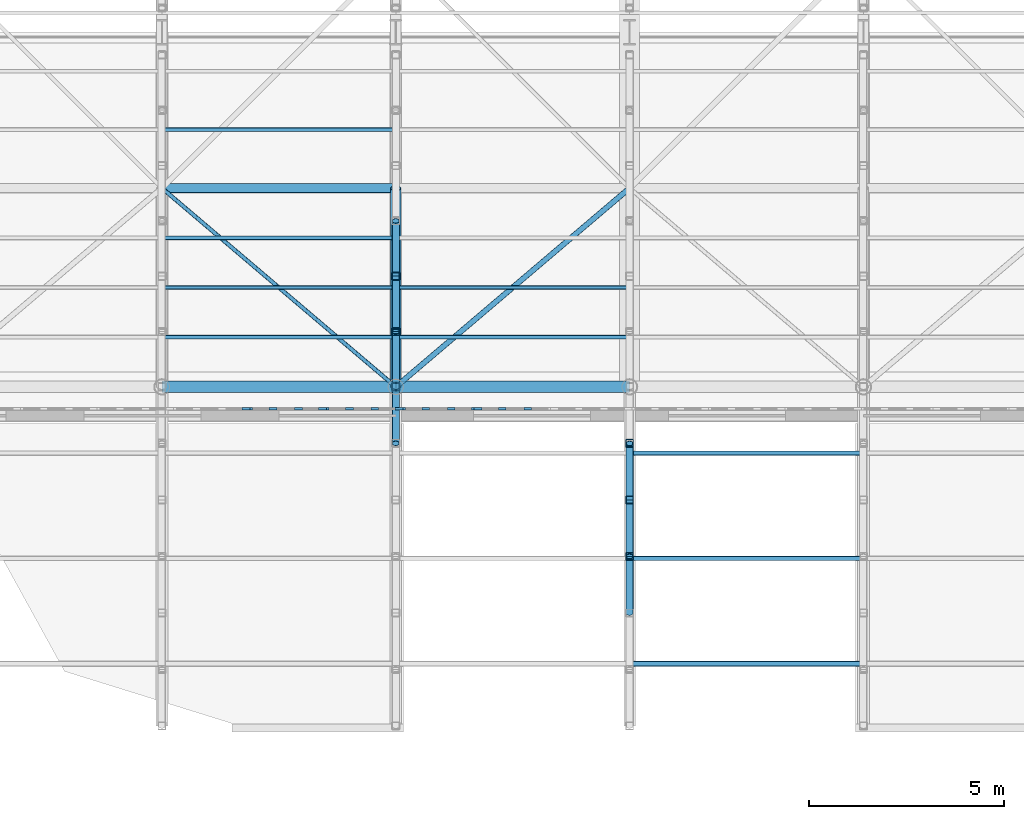
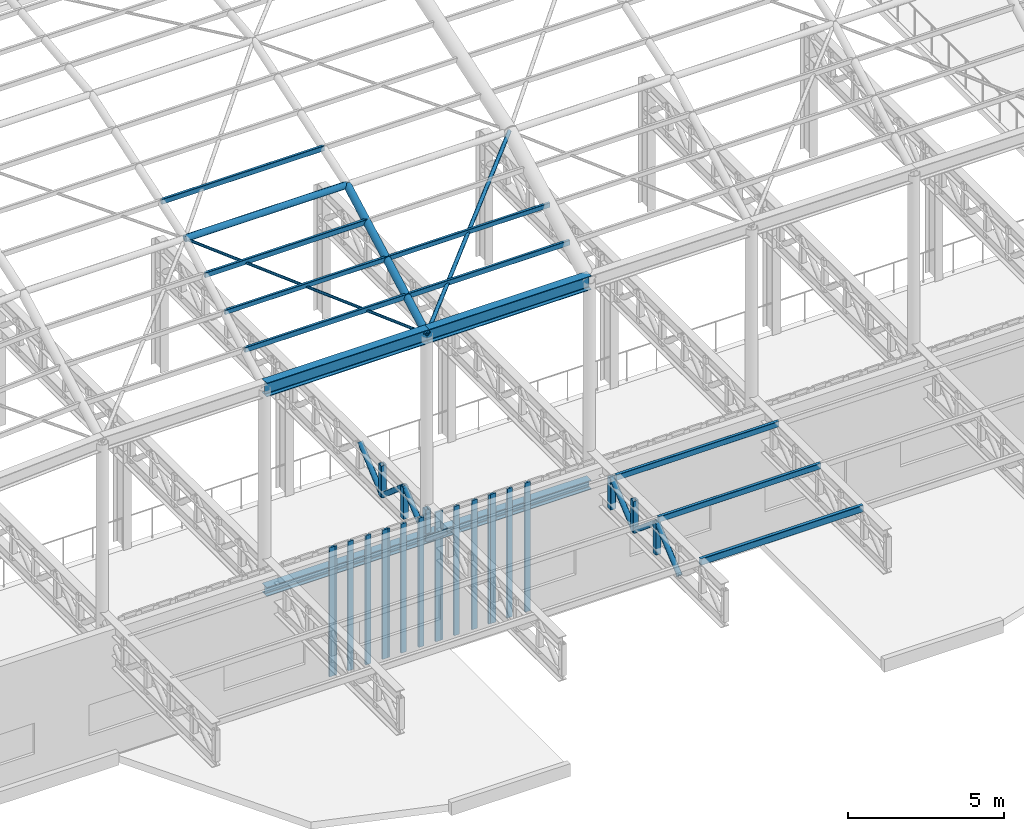
# One storey, part 24 of 75: 42 members, 4 beams, 5 elements without a shape of their own.
"""IFC4 building model written with IfcOpenShell, lengths in metres."""

from ifc_helpers import new_model, si_unit, direction, frame, origin, origin_2d, place, context, subcontext, project, spatial, rectangle, hollow_rectangle, hollow_circle, i_section, extrude, material, material_profile, profile_set, type_object, element, aggregate, save


model = new_model("IFC4")

# Units and contexts
model_context = context("Model", 3, precision=1e-05, world=origin(), true_north=direction((0.0, 1.0)))
body_context = subcontext(model_context, "Body", "Model", "MODEL_VIEW")
ifc_project = project(units=[si_unit("LENGTHUNIT", "METRE"), si_unit("AREAUNIT", "SQUARE_METRE"), si_unit("VOLUMEUNIT", "CUBIC_METRE"), si_unit("PLANEANGLEUNIT", "RADIAN"), si_unit("MASSUNIT", "GRAM", prefix="KILO")], contexts=[model_context])

# Site, building, storey
site_placement = place(None, origin())
site = spatial("IfcSite", under=ifc_project, at=site_placement, CompositionType="ELEMENT")
building_placement = place(site_placement, origin())
building = spatial("IfcBuilding", under=site, at=building_placement, Name="Kolvaren Corner Interchange", CompositionType="ELEMENT")
storey_placement = place(building_placement, frame((0.0, 0.0, 10.5)))
storey = spatial("IfcBuildingStorey", under=building, at=storey_placement, Name="L03", CompositionType="ELEMENT", Elevation=10.5)

# Beams
ifc_material_1 = material(Name="Steel S355", Category="steel")
ifc_material_profile_1 = material_profile(ifc_material_1, i_section(OverallWidth=0.300048828125, OverallDepth=0.35009765625, WebThickness=0.010009765625, FlangeThickness=0.017578125, FilletRadius=0.027099609375, at=origin_2d()), Name="HEA 360")
ifc_profile_set_1 = profile_set([ifc_material_profile_1], Name="Steel S355")
beam_type_1 = type_object("IfcBeamType", Name="BM-HEA360", PredefinedType="BEAM", material=ifc_profile_set_1)
for number, where, z_axis, x_axis, name in (
    (1, (78.0, 24.89990234375, 3.77490234375), (1.0, 0.0, 0.0), (0.0, 1.0, 0.0), "Storey L03 Grid X Primary Girder 0834"),
    (2, (84.0, 24.89990234375, 3.77490234375), (1.0, 0.0, 0.0), (0.0, 1.0, 0.0), "Storey L03 Grid X Primary Girder 0835"),
):
    element("IfcBeam", number, at=place(storey_placement, frame(where, z_axis=z_axis, x_axis=x_axis)), inside=storey, type_object=beam_type_1, Name=name, PredefinedType="BEAM", context=body_context, shape_type="SweptSolid", body=[
        extrude(i_section(OverallWidth=0.300048828125, OverallDepth=0.35009765625, WebThickness=0.010009765625, FlangeThickness=0.017578125, FilletRadius=0.027099609375, at=origin_2d()), origin(), (0.0, 0.0, 1.0), 6.0),
    ])
ifc_material_2 = material(Name="Steel S355", Category="steel")
ifc_material_profile_2 = material_profile(ifc_material_2, i_section(OverallWidth=0.300048828125, OverallDepth=0.5400390625, WebThickness=0.012451171875, FlangeThickness=0.02392578125, FilletRadius=0.027099609375, at=origin_2d()), Name="HEA 550")
ifc_profile_set_2 = profile_set([ifc_material_profile_2], Name="Steel S355")
beam_type_2 = type_object("IfcBeamType", Name="BM-HEA550", PredefinedType="BEAM", material=ifc_profile_set_2)
for number, where, z_axis, x_axis, name in (
    (3, (78.0, 24.89990234375, 11.6650390625), (1.0, 0.0, 0.0), (0.0, 1.0, 0.0), "Concourse Translational Gridshell Eaves Ring Beam 006"),
    (4, (84.0, 24.89990234375, 11.6650390625), (1.0, 0.0, 0.0), (0.0, 1.0, 0.0), "Concourse Translational Gridshell Eaves Ring Beam 007"),
):
    element("IfcBeam", number, at=place(storey_placement, frame(where, z_axis=z_axis, x_axis=x_axis)), inside=storey, type_object=beam_type_2, Name=name, PredefinedType="BEAM", context=body_context, shape_type="SweptSolid", body=[
        extrude(i_section(OverallWidth=0.300048828125, OverallDepth=0.5400390625, WebThickness=0.012451171875, FlangeThickness=0.02392578125, FilletRadius=0.027099609375, at=origin_2d()), origin(), (0.0, 0.0, 1.0), 6.0),
    ])

# Members
ifc_material_3 = material(Name="Steel S355", Category="steel")
ifc_material_profile_3 = material_profile(ifc_material_3, hollow_circle(Radius=0.05078125, WallThickness=0.00634765625, at=origin_2d()), Name="CHS 101.6x6.3")
ifc_profile_set_3 = profile_set([ifc_material_profile_3], Name="Steel S355")
member_type_1 = type_object("IfcMemberType", Name="MEM-BR-CHS102", PredefinedType="BRACE", material=ifc_profile_set_3)
member_1_placement = place(storey_placement, frame((78.0, 30.0, 14.4130859375), z_axis=(0.719387446525, -0.611491038326, -0.329485070723), x_axis=(0.647655619635, 0.761933198092, 0.0)))
element("IfcMember", 5, at=member_1_placement, inside=storey, type_object=member_type_1, Name="Concourse Translational Gridshell Nodal Diagonal Brace 0041", PredefinedType="BRACE", context=body_context, shape_type="SweptSolid", body=[
    extrude(hollow_circle(Radius=0.05078125, WallThickness=0.00634765625, at=origin_2d()), origin(), (0.0, 0.0, 1.0), 8.34033203125),
])
ifc_material_4 = material(Name="Steel S355", Category="steel")
ifc_material_profile_4 = material_profile(ifc_material_4, hollow_circle(Radius=0.06982421875, WallThickness=0.008056640625, at=origin_2d()), Name="CHS 139.7x8.0")
ifc_profile_set_4 = profile_set([ifc_material_profile_4], Name="Steel S355")
member_type_2 = type_object("IfcMemberType", Name="MEM-BR-CHS140", PredefinedType="BRACE", material=ifc_profile_set_4)
member_2_placement = place(storey_placement, frame((84.0, 24.89990234375, 11.6650390625), z_axis=(0.719387446525, 0.611491038326, 0.329485070723), x_axis=(-0.647655619635, 0.761933198092, 0.0)))
element("IfcMember", 6, at=member_2_placement, inside=storey, type_object=member_type_2, Name="Concourse Translational Gridshell Nodal Diagonal Brace 0049", PredefinedType="BRACE", context=body_context, shape_type="SweptSolid", body=[
    extrude(hollow_circle(Radius=0.06982421875, WallThickness=0.008056640625, at=origin_2d()), origin(), (0.0, 0.0, 1.0), 8.34033203125),
])
ifc_material_5 = material(Name="Steel S355", Category="steel")
ifc_material_profile_5 = material_profile(ifc_material_5, hollow_circle(Radius=0.096923828125, WallThickness=0.010009765625, at=origin_2d()), Name="CHS 193.7x10.0")
ifc_profile_set_5 = profile_set([ifc_material_profile_5], Name="Steel S355")
member_type_3 = type_object("IfcMemberType", Name="MEM-BR-CHS194", PredefinedType="BRACE", material=ifc_profile_set_5)
member_3_placement = place(storey_placement, frame((84.0, 23.449951171875, 4.8701171875), z_axis=(0.0, 0.765118287979, -0.643889746307), x_axis=(-1.0, 0.0, 0.0)))
element("IfcMember", 7, at=member_3_placement, inside=storey, type_object=member_type_3, Name="South Portal Cantilever Roof Truss TOP Line 3 Diagonal 06", PredefinedType="BRACE", context=body_context, shape_type="SweptSolid", body=[
    extrude(hollow_circle(Radius=0.096923828125, WallThickness=0.010009765625, at=origin_2d()), origin(), (0.0, 0.0, 1.0), 1.89501953125),
])
member_4_placement = place(storey_placement, frame((84.0, 24.89990234375, 3.64990234375), z_axis=(0.0, 0.758482926199, 0.651692911319), x_axis=(-1.0, 0.0, 0.0)))
element("IfcMember", 8, at=member_4_placement, inside=storey, type_object=member_type_3, Name="South Portal Cantilever Roof Truss TOP Line 3 Diagonal 07", PredefinedType="BRACE", context=body_context, shape_type="SweptSolid", body=[
    extrude(hollow_circle(Radius=0.096923828125, WallThickness=0.010009765625, at=origin_2d()), origin(), (0.0, 0.0, 1.0), 1.872314453125),
])
for number, where, z_axis, x_axis, name in (
    (9, (84.0, 26.320068359375, 4.8701171875), (0.0, 0.758427540561, -0.651757367215), (-1.0, 0.0, 0.0), "South Portal Cantilever Roof Truss TOP Line 3 Diagonal 08"),
    (10, (84.0, 27.739990234375, 3.64990234375), (0.0, 0.758427540561, 0.651757367215), (-1.0, 0.0, 0.0), "South Portal Cantilever Roof Truss TOP Line 3 Diagonal 09"),
):
    element("IfcMember", number, at=place(storey_placement, frame(where, z_axis=z_axis, x_axis=x_axis)), inside=storey, type_object=member_type_3, Name=name, PredefinedType="BRACE", context=body_context, shape_type="SweptSolid", body=[
        extrude(hollow_circle(Radius=0.096923828125, WallThickness=0.010009765625, at=origin_2d()), origin(), (0.0, 0.0, 1.0), 1.8720703125),
    ])
for number, where, z_axis, x_axis, name in (
    (11, (90.0, 19.10009765625, 3.64990234375), (0.0, 0.765118287979, 0.643889746307), (-1.0, 0.0, 0.0), "South Portal Cantilever Roof Truss TOP Line 4 Diagonal 03"),
    (12, (90.0, 20.550048828125, 4.8701171875), (0.0, 0.765118287979, -0.643889746307), (-1.0, 0.0, 0.0), "South Portal Cantilever Roof Truss TOP Line 4 Diagonal 04"),
    (13, (90.0, 22.0, 3.64990234375), (0.0, 0.765118287979, 0.643889746307), (-1.0, 0.0, 0.0), "South Portal Cantilever Roof Truss TOP Line 4 Diagonal 05"),
):
    element("IfcMember", number, at=place(storey_placement, frame(where, z_axis=z_axis, x_axis=x_axis)), inside=storey, type_object=member_type_3, Name=name, PredefinedType="BRACE", context=body_context, shape_type="SweptSolid", body=[
        extrude(hollow_circle(Radius=0.096923828125, WallThickness=0.010009765625, at=origin_2d()), origin(), (0.0, 0.0, 1.0), 1.89501953125),
    ])
ifc_material_6 = material(Name="Steel S355", Category="steel")
ifc_material_profile_6 = material_profile(ifc_material_6, hollow_circle(Radius=0.122314453125, WallThickness=0.012451171875, at=origin_2d()), Name="CHS 244.5x12.5")
ifc_profile_set_6 = profile_set([ifc_material_profile_6], Name="Steel S355")
member_type_4 = type_object("IfcMemberType", Name="MEM-CH-CHS245", PredefinedType="CHORD", material=ifc_profile_set_6)
member_5_placement = place(storey_placement, frame((78.0, 30.0, 14.4130859375), z_axis=(1.0, 0.0, 0.0), x_axis=(0.0, 1.0, 0.0)))
element("IfcMember", 14, at=member_5_placement, inside=storey, type_object=member_type_4, Name="Concourse Translational Gridshell Longitudinal Arch Chord 0110", PredefinedType="CHORD", context=body_context, shape_type="SweptSolid", body=[
    extrude(hollow_circle(Radius=0.122314453125, WallThickness=0.012451171875, at=origin_2d()), origin(), (0.0, 0.0, 1.0), 6.0),
])
ifc_material_7 = material(Name="Steel S355", Category="steel")
ifc_material_profile_7 = material_profile(ifc_material_7, hollow_circle(Radius=0.136474609375, WallThickness=0.012451171875, at=origin_2d()), Name="CHS 273.0x12.5")
ifc_profile_set_7 = profile_set([ifc_material_profile_7], Name="Steel S355")
member_type_5 = type_object("IfcMemberType", Name="MEM-CH-CHS273", PredefinedType="CHORD", material=ifc_profile_set_7)
member_6_placement = place(storey_placement, frame((84.0, 24.89990234375, 11.6650390625), z_axis=(0.0, 0.880338454691, 0.474346081666), x_axis=(-1.0, 0.0, 0.0)))
element("IfcMember", 15, at=member_6_placement, inside=storey, type_object=member_type_5, Name="Concourse Translational Gridshell Transverse Arch Chord 0041", PredefinedType="CHORD", context=body_context, shape_type="SweptSolid", body=[
    extrude(hollow_circle(Radius=0.136474609375, WallThickness=0.012451171875, at=origin_2d()), origin(), (0.0, 0.0, 1.0), 5.79345703125),
])
ifc_material_8 = material(Name="Steel S355", Category="steel")
ifc_material_profile_8 = material_profile(ifc_material_8, hollow_rectangle(XDim=0.10009765625, YDim=0.179931640625, WallThickness=0.008056640625, InnerFilletRadius=0.008056640625, OuterFilletRadius=0.01611328125, at=origin_2d()), Name="RHS 180x100x8.0")
ifc_profile_set_8 = profile_set([ifc_material_profile_8], Name="Steel S355")
member_type_6 = type_object("IfcMemberType", Name="MEM-PR-RHS180", PredefinedType="PURLIN", material=ifc_profile_set_8)
for number, where, z_axis, x_axis, name in (
    (16, (78.0, 27.449951171875, 13.0869140625), (1.0, 0.0, 0.0), (0.0, 1.0, 0.0), "Concourse Translational Gridshell Glazing Purlin 0041 Row 2"),
    (17, (84.0, 27.449951171875, 13.0869140625), (1.0, 0.0, 0.0), (0.0, 1.0, 0.0), "Concourse Translational Gridshell Glazing Purlin 0049 Row 2"),
):
    element("IfcMember", number, at=place(storey_placement, frame(where, z_axis=z_axis, x_axis=x_axis)), inside=storey, type_object=member_type_6, Name=name, PredefinedType="PURLIN", context=body_context, shape_type="SweptSolid", body=[
        extrude(hollow_rectangle(XDim=0.10009765625, YDim=0.179931640625, WallThickness=0.008056640625, InnerFilletRadius=0.008056640625, OuterFilletRadius=0.01611328125, at=origin_2d()), origin(), (0.0, 0.0, 1.0), 6.0),
    ])
ifc_material_9 = material(Name="Steel S355", Category="steel")
ifc_material_profile_9 = material_profile(ifc_material_9, hollow_rectangle(XDim=0.10009765625, YDim=0.199951171875, WallThickness=0.008056640625, InnerFilletRadius=0.008056640625, OuterFilletRadius=0.01611328125, at=origin_2d()), Name="RHS 200x100x8.0")
ifc_profile_set_9 = profile_set([ifc_material_profile_9], Name="Steel S355")
member_type_7 = type_object("IfcMemberType", Name="MEM-PR-RHS200", PredefinedType="PURLIN", material=ifc_profile_set_9)
for number, where, z_axis, x_axis, name in (
    (18, (78.0, 26.175048828125, 12.389892578125), (1.0, 0.0, 0.0), (0.0, 1.0, 0.0), "Concourse Translational Gridshell Glazing Purlin 0041 Row 1"),
    (19, (78.0, 28.72509765625, 13.763916015625), (1.0, 0.0, 0.0), (0.0, 1.0, 0.0), "Concourse Translational Gridshell Glazing Purlin 0041 Row 3"),
    (20, (78.0, 31.5, 14.950927734375), (1.0, 0.0, 0.0), (0.0, 1.0, 0.0), "Concourse Translational Gridshell Glazing Purlin 0042 Row 1"),
    (21, (84.0, 26.175048828125, 12.389892578125), (1.0, 0.0, 0.0), (0.0, 1.0, 0.0), "Concourse Translational Gridshell Glazing Purlin 0049 Row 1"),
):
    element("IfcMember", number, at=place(storey_placement, frame(where, z_axis=z_axis, x_axis=x_axis)), inside=storey, type_object=member_type_7, Name=name, PredefinedType="PURLIN", context=body_context, shape_type="SweptSolid", body=[
        extrude(hollow_rectangle(XDim=0.10009765625, YDim=0.199951171875, WallThickness=0.008056640625, InnerFilletRadius=0.008056640625, OuterFilletRadius=0.01611328125, at=origin_2d()), origin(), (0.0, 0.0, 1.0), 6.0),
    ])
ifc_material_10 = material(Name="Steel S355", Category="steel")
ifc_material_profile_10 = material_profile(ifc_material_10, hollow_rectangle(XDim=0.1201171875, YDim=0.219970703125, WallThickness=0.008056640625, InnerFilletRadius=0.008056640625, OuterFilletRadius=0.01611328125, at=origin_2d()), Name="RHS 220x120x8.0")
ifc_profile_set_10 = profile_set([ifc_material_profile_10], Name="Steel S355")
member_type_8 = type_object("IfcMemberType", Name="MEM-PR-RHS220", PredefinedType="PURLIN", material=ifc_profile_set_10)
for number, where, z_axis, x_axis, name in (
    (22, (90.0, 20.5, 5.010009765625), (1.0, 0.0, 0.0), (0.0, 1.0, 0.0), "South Portal Cantilever Roof Truss TOP Purlin 2 Bay 90"),
    (23, (90.0, 23.199951171875, 5.010009765625), (1.0, 0.0, 0.0), (0.0, 1.0, 0.0), "South Portal Cantilever Roof Truss TOP Purlin 3 Bay 90"),
):
    element("IfcMember", number, at=place(storey_placement, frame(where, z_axis=z_axis, x_axis=x_axis)), inside=storey, type_object=member_type_8, Name=name, PredefinedType="PURLIN", context=body_context, shape_type="SweptSolid", body=[
        extrude(hollow_rectangle(XDim=0.1201171875, YDim=0.219970703125, WallThickness=0.008056640625, InnerFilletRadius=0.008056640625, OuterFilletRadius=0.01611328125, at=origin_2d()), origin(), (0.0, 0.0, 1.0), 6.0),
    ])
ifc_material_11 = material(Name="Steel S355", Category="steel")
ifc_material_profile_11 = material_profile(ifc_material_11, hollow_rectangle(XDim=0.139892578125, YDim=0.260009765625, WallThickness=0.010009765625, InnerFilletRadius=0.010009765625, OuterFilletRadius=0.02001953125, at=origin_2d()), Name="RHS 260x140x10.0")
ifc_profile_set_11 = profile_set([ifc_material_profile_11], Name="Steel S355")
member_type_9 = type_object("IfcMemberType", Name="MEM-PR-RHS260", PredefinedType="PURLIN", material=ifc_profile_set_11)
member_7_placement = place(storey_placement, frame((90.0, 17.800048828125, 4.989990234375), z_axis=(1.0, 0.0, 0.0), x_axis=(0.0, 1.0, 0.0)))
element("IfcMember", 24, at=member_7_placement, inside=storey, type_object=member_type_9, Name="South Portal Cantilever Roof Truss TOP Purlin 1 Bay 90", PredefinedType="PURLIN", context=body_context, shape_type="SweptSolid", body=[
    extrude(hollow_rectangle(XDim=0.139892578125, YDim=0.260009765625, WallThickness=0.010009765625, InnerFilletRadius=0.010009765625, OuterFilletRadius=0.02001953125, at=origin_2d()), origin(), (0.0, 0.0, 1.0), 6.0),
])
ifc_material_12 = material(Name="Steel S355", Category="steel")
ifc_material_profile_12 = material_profile(ifc_material_12, hollow_rectangle(XDim=0.199951171875, YDim=0.199951171875, WallThickness=0.010009765625, InnerFilletRadius=0.010009765625, OuterFilletRadius=0.02001953125, at=origin_2d()), Name="SHS 200x200x10.0")
ifc_profile_set_12 = profile_set([ifc_material_profile_12], Name="Steel S355")
member_type_10 = type_object("IfcMemberType", Name="MEM-PT-SHS200", PredefinedType="POST", material=ifc_profile_set_12)
for number, where, z_axis, x_axis, name in (
    (25, (84.0, 24.89990234375, 3.64990234375), (0.0, 0.0, 1.0), (1.0, 0.0, 0.0), "South Portal Cantilever Roof Truss TOP Line 3 Web Post 07"),
    (26, (84.0, 26.320068359375, 3.64990234375), (0.0, 0.0, 1.0), (1.0, 0.0, 0.0), "South Portal Cantilever Roof Truss TOP Line 3 Web Post 08"),
    (27, (84.0, 27.739990234375, 3.64990234375), (0.0, 0.0, 1.0), (1.0, 0.0, 0.0), "South Portal Cantilever Roof Truss TOP Line 3 Web Post 09"),
    (28, (90.0, 20.550048828125, 3.64990234375), (0.0, 0.0, 1.0), (1.0, 0.0, 0.0), "South Portal Cantilever Roof Truss TOP Line 4 Web Post 04"),
    (29, (90.0, 22.0, 3.64990234375), (0.0, 0.0, 1.0), (1.0, 0.0, 0.0), "South Portal Cantilever Roof Truss TOP Line 4 Web Post 05"),
    (30, (90.0, 23.449951171875, 3.64990234375), (0.0, 0.0, 1.0), (1.0, 0.0, 0.0), "South Portal Cantilever Roof Truss TOP Line 4 Web Post 06"),
):
    element("IfcMember", number, at=place(storey_placement, frame(where, z_axis=z_axis, x_axis=x_axis)), inside=storey, type_object=member_type_10, Name=name, PredefinedType="POST", context=body_context, shape_type="SweptSolid", body=[
        extrude(hollow_rectangle(XDim=0.199951171875, YDim=0.199951171875, WallThickness=0.010009765625, InnerFilletRadius=0.010009765625, OuterFilletRadius=0.02001953125, at=origin_2d()), origin(), (0.0, 0.0, 1.0), 1.22021484375),
    ])

# Curtain wall, member
ifc_material_13 = material(Name="Unitised Aluminium and Solar-Control Glass Curtain Wall", Category="aluminium")
curtain_wall_type = type_object("IfcCurtainWallType", Name="CW-V1-UPPER", PredefinedType="NOTDEFINED", material=ifc_material_13)
curtain_wall_1_placement = place(storey_placement, origin())
curtain_wall_1 = element("IfcCurtainWall", 31, at=curtain_wall_1_placement, inside=storey, type_object=curtain_wall_type, Name="South Portal Upper Curtain Wall Bay 04", PredefinedType="NOTDEFINED")
ifc_material_14 = material(Name="Anodised Aluminium Framing", Category="aluminium")
ifc_material_profile_13 = material_profile(ifc_material_14, rectangle(XDim=0.070068359375, YDim=0.199951171875, at=origin_2d()), Name="ALU 70x200")
ifc_profile_set_13 = profile_set([ifc_material_profile_13], Name="Anodised Aluminium Framing")
member_type_11 = type_object("IfcMemberType", Name="MUL-ALU70x200", PredefinedType="MULLION", material=ifc_profile_set_13)
member_8_placement = place(storey_placement, frame((80.159423828125, 24.340087890625, 0.0), z_axis=(0.0, 0.0, 1.0), x_axis=(0.0, 1.0, 0.0)))
member_8 = element("IfcMember", 32, at=member_8_placement, type_object=member_type_11, Name="CW-040 mullion 4", PredefinedType="MULLION", context=body_context, shape_type="SweptSolid", body=[
    extrude(rectangle(XDim=0.070068359375, YDim=0.199951171875, at=origin_2d()), origin(), (0.0, 0.0, 1.0), 5.050048828125),
])
aggregate(curtain_wall_1, [member_8])

# Curtain wall, members
curtain_wall_2_placement = place(storey_placement, origin())
curtain_wall_2 = element("IfcCurtainWall", 33, at=curtain_wall_2_placement, inside=storey, type_object=curtain_wall_type, Name="South Portal Upper Curtain Wall Bay 05", PredefinedType="NOTDEFINED")
member_9_placement = place(storey_placement, frame((80.2294921875, 24.340087890625, 0.0), z_axis=(0.0, 0.0, 1.0), x_axis=(0.0, 1.0, 0.0)))
member_9 = element("IfcMember", 34, at=member_9_placement, type_object=member_type_11, Name="CW-041 mullion 1", PredefinedType="MULLION", context=body_context, shape_type="SweptSolid", body=[
    extrude(rectangle(XDim=0.070068359375, YDim=0.199951171875, at=origin_2d()), origin(), (0.0, 0.0, 1.0), 5.050048828125),
])
member_10_placement = place(storey_placement, frame((80.84814453125, 24.340087890625, 0.0), z_axis=(0.0, 0.0, 1.0), x_axis=(0.0, 1.0, 0.0)))
member_10 = element("IfcMember", 35, at=member_10_placement, type_object=member_type_11, Name="CW-041 mullion 2", PredefinedType="MULLION", context=body_context, shape_type="SweptSolid", body=[
    extrude(rectangle(XDim=0.070068359375, YDim=0.199951171875, at=origin_2d()), origin(), (0.0, 0.0, 1.0), 5.050048828125),
])
member_11_placement = place(storey_placement, frame((81.501953125, 24.340087890625, 0.0), z_axis=(0.0, 0.0, 1.0), x_axis=(0.0, 1.0, 0.0)))
member_11 = element("IfcMember", 36, at=member_11_placement, type_object=member_type_11, Name="CW-041 mullion 3", PredefinedType="MULLION", context=body_context, shape_type="SweptSolid", body=[
    extrude(rectangle(XDim=0.070068359375, YDim=0.199951171875, at=origin_2d()), origin(), (0.0, 0.0, 1.0), 5.050048828125),
])
member_12_placement = place(storey_placement, frame((82.12060546875, 24.340087890625, 0.0), z_axis=(0.0, 0.0, 1.0), x_axis=(0.0, 1.0, 0.0)))
member_12 = element("IfcMember", 37, at=member_12_placement, type_object=member_type_11, Name="CW-041 mullion 4", PredefinedType="MULLION", context=body_context, shape_type="SweptSolid", body=[
    extrude(rectangle(XDim=0.070068359375, YDim=0.199951171875, at=origin_2d()), origin(), (0.0, 0.0, 1.0), 5.050048828125),
])
aggregate(curtain_wall_2, [member_9, member_10, member_11, member_12])

curtain_wall_3_placement = place(storey_placement, origin())
curtain_wall_3 = element("IfcCurtainWall", 38, at=curtain_wall_3_placement, inside=storey, type_object=curtain_wall_type, Name="South Portal Upper Curtain Wall Bay 06", PredefinedType="NOTDEFINED")
member_13_placement = place(storey_placement, frame((82.190673828125, 24.340087890625, 0.0), z_axis=(0.0, 0.0, 1.0), x_axis=(0.0, 1.0, 0.0)))
member_13 = element("IfcMember", 39, at=member_13_placement, type_object=member_type_11, Name="CW-042 mullion 1", PredefinedType="MULLION", context=body_context, shape_type="SweptSolid", body=[
    extrude(rectangle(XDim=0.070068359375, YDim=0.199951171875, at=origin_2d()), origin(), (0.0, 0.0, 1.0), 5.050048828125),
])
member_14_placement = place(storey_placement, frame((82.809326171875, 24.340087890625, 0.0), z_axis=(0.0, 0.0, 1.0), x_axis=(0.0, 1.0, 0.0)))
member_14 = element("IfcMember", 40, at=member_14_placement, type_object=member_type_11, Name="CW-042 mullion 2", PredefinedType="MULLION", context=body_context, shape_type="SweptSolid", body=[
    extrude(rectangle(XDim=0.070068359375, YDim=0.199951171875, at=origin_2d()), origin(), (0.0, 0.0, 1.0), 5.050048828125),
])
member_15_placement = place(storey_placement, frame((83.462890625, 24.340087890625, 0.0), z_axis=(0.0, 0.0, 1.0), x_axis=(0.0, 1.0, 0.0)))
member_15 = element("IfcMember", 41, at=member_15_placement, type_object=member_type_11, Name="CW-042 mullion 3", PredefinedType="MULLION", context=body_context, shape_type="SweptSolid", body=[
    extrude(rectangle(XDim=0.070068359375, YDim=0.199951171875, at=origin_2d()), origin(), (0.0, 0.0, 1.0), 5.050048828125),
])
member_16_placement = place(storey_placement, frame((84.081787109375, 24.340087890625, 0.0), z_axis=(0.0, 0.0, 1.0), x_axis=(0.0, 1.0, 0.0)))
member_16 = element("IfcMember", 42, at=member_16_placement, type_object=member_type_11, Name="CW-042 mullion 4", PredefinedType="MULLION", context=body_context, shape_type="SweptSolid", body=[
    extrude(rectangle(XDim=0.070068359375, YDim=0.199951171875, at=origin_2d()), origin(), (0.0, 0.0, 1.0), 5.050048828125),
])
aggregate(curtain_wall_3, [member_13, member_14, member_15, member_16])

curtain_wall_4_placement = place(storey_placement, origin())
curtain_wall_4 = element("IfcCurtainWall", 43, at=curtain_wall_4_placement, inside=storey, type_object=curtain_wall_type, Name="South Portal Upper Curtain Wall Bay 07", PredefinedType="NOTDEFINED")
member_17_placement = place(storey_placement, frame((84.151611328125, 24.340087890625, 0.0), z_axis=(0.0, 0.0, 1.0), x_axis=(0.0, 1.0, 0.0)))
member_17 = element("IfcMember", 44, at=member_17_placement, type_object=member_type_11, Name="CW-043 mullion 1", PredefinedType="MULLION", context=body_context, shape_type="SweptSolid", body=[
    extrude(rectangle(XDim=0.070068359375, YDim=0.199951171875, at=origin_2d()), origin(), (0.0, 0.0, 1.0), 5.050048828125),
])
member_18_placement = place(storey_placement, frame((84.7705078125, 24.340087890625, 0.0), z_axis=(0.0, 0.0, 1.0), x_axis=(0.0, 1.0, 0.0)))
member_18 = element("IfcMember", 45, at=member_18_placement, type_object=member_type_11, Name="CW-043 mullion 2", PredefinedType="MULLION", context=body_context, shape_type="SweptSolid", body=[
    extrude(rectangle(XDim=0.070068359375, YDim=0.199951171875, at=origin_2d()), origin(), (0.0, 0.0, 1.0), 5.050048828125),
])
member_19_placement = place(storey_placement, frame((85.424072265625, 24.340087890625, 0.0), z_axis=(0.0, 0.0, 1.0), x_axis=(0.0, 1.0, 0.0)))
member_19 = element("IfcMember", 46, at=member_19_placement, type_object=member_type_11, Name="CW-043 mullion 3", PredefinedType="MULLION", context=body_context, shape_type="SweptSolid", body=[
    extrude(rectangle(XDim=0.070068359375, YDim=0.199951171875, at=origin_2d()), origin(), (0.0, 0.0, 1.0), 5.050048828125),
])
member_20_placement = place(storey_placement, frame((86.042724609375, 24.340087890625, 0.0), z_axis=(0.0, 0.0, 1.0), x_axis=(0.0, 1.0, 0.0)))
member_20 = element("IfcMember", 47, at=member_20_placement, type_object=member_type_11, Name="CW-043 mullion 4", PredefinedType="MULLION", context=body_context, shape_type="SweptSolid", body=[
    extrude(rectangle(XDim=0.070068359375, YDim=0.199951171875, at=origin_2d()), origin(), (0.0, 0.0, 1.0), 5.050048828125),
])
aggregate(curtain_wall_4, [member_17, member_18, member_19, member_20])

curtain_wall_5_placement = place(storey_placement, origin())
curtain_wall_5 = element("IfcCurtainWall", 48, at=curtain_wall_5_placement, inside=storey, type_object=curtain_wall_type, Name="South Portal Upper Curtain Wall Bay 08", PredefinedType="NOTDEFINED")
member_21_placement = place(storey_placement, frame((86.11279296875, 24.340087890625, 0.0), z_axis=(0.0, 0.0, 1.0), x_axis=(0.0, 1.0, 0.0)))
member_21 = element("IfcMember", 49, at=member_21_placement, type_object=member_type_11, Name="CW-044 mullion 1", PredefinedType="MULLION", context=body_context, shape_type="SweptSolid", body=[
    extrude(rectangle(XDim=0.070068359375, YDim=0.199951171875, at=origin_2d()), origin(), (0.0, 0.0, 1.0), 5.050048828125),
])
member_22_placement = place(storey_placement, frame((86.7314453125, 24.340087890625, 0.0), z_axis=(0.0, 0.0, 1.0), x_axis=(0.0, 1.0, 0.0)))
member_22 = element("IfcMember", 50, at=member_22_placement, type_object=member_type_11, Name="CW-044 mullion 2", PredefinedType="MULLION", context=body_context, shape_type="SweptSolid", body=[
    extrude(rectangle(XDim=0.070068359375, YDim=0.199951171875, at=origin_2d()), origin(), (0.0, 0.0, 1.0), 5.050048828125),
])
member_23_placement = place(storey_placement, frame((87.38525390625, 24.340087890625, 0.0), z_axis=(0.0, 0.0, 1.0), x_axis=(0.0, 1.0, 0.0)))
member_23 = element("IfcMember", 51, at=member_23_placement, type_object=member_type_11, Name="CW-044 mullion 3", PredefinedType="MULLION", context=body_context, shape_type="SweptSolid", body=[
    extrude(rectangle(XDim=0.070068359375, YDim=0.199951171875, at=origin_2d()), origin(), (0.0, 0.0, 1.0), 5.050048828125),
])
aggregate(curtain_wall_5, [member_21, member_22, member_23])

save(model, "model.ifc")
